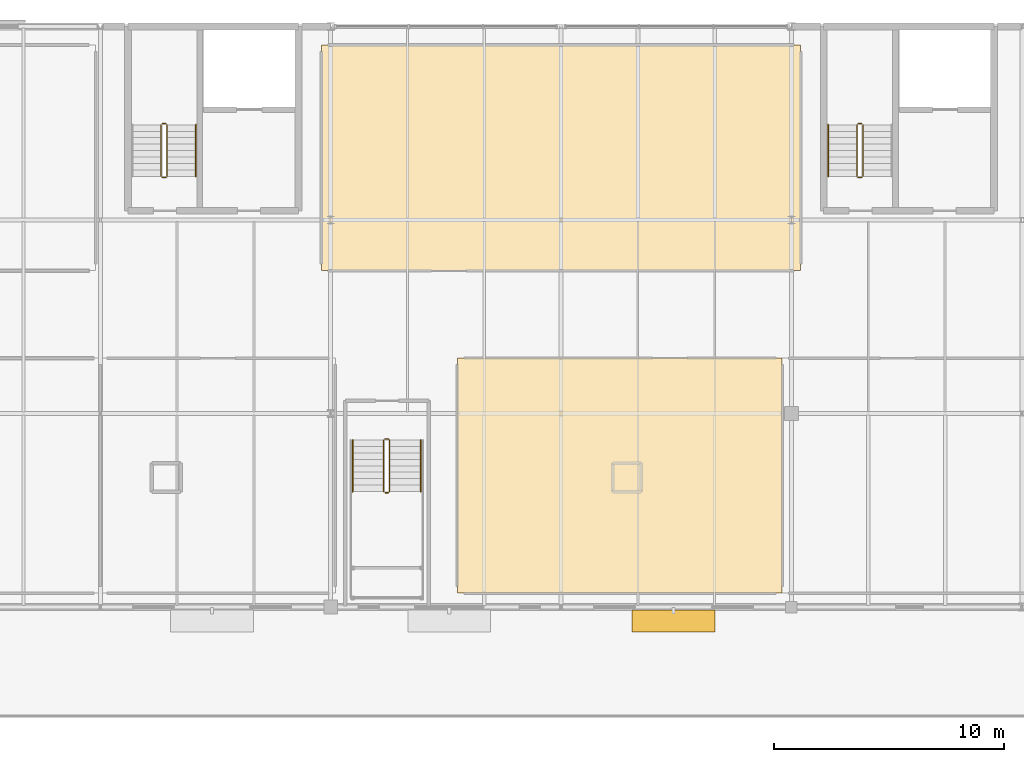
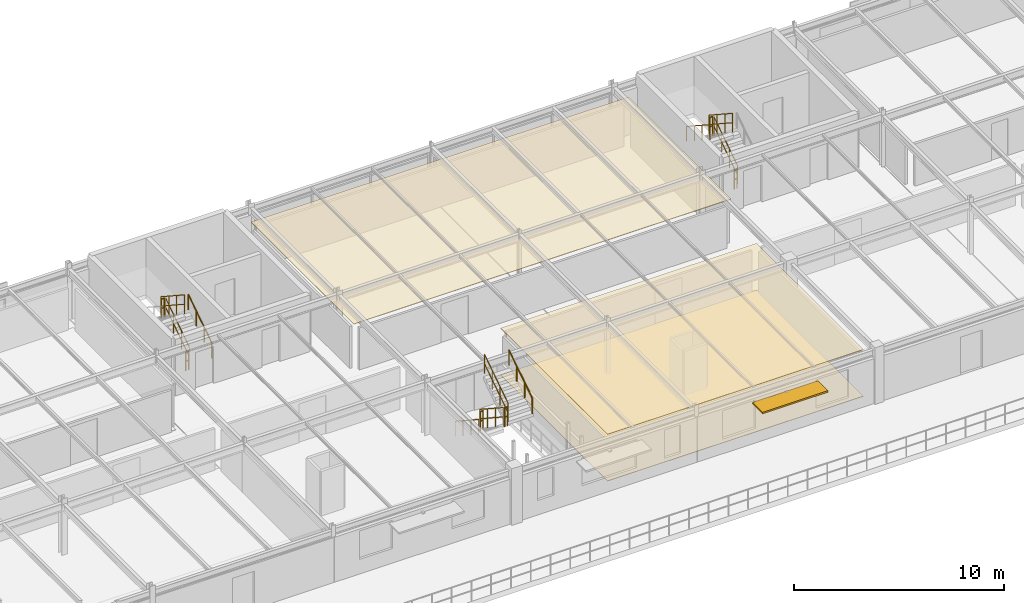
# One storey, part 22 of 23: 16 railings, 3 coverings, 1 shading device.
"""IFC4 building model written with IfcOpenShell, lengths in metres."""

from ifc_helpers import new_model, si_unit, derived_unit, direction, frame, origin, origin_2d_with_axis, place, context, subcontext, project, spatial, polyline, rectangle, circle, outline, extrude, material, layer, layer_set, type_object, element, save


model = new_model("IFC4")

# Units and contexts
model_context = context("Model", 3, precision=1e-05, world=origin(), true_north=direction((0.0, 1.0)))
body_context = subcontext(model_context, "Body", "Model", "MODEL_VIEW")
ifc_project = project(units=[si_unit("LENGTHUNIT", "METRE"), si_unit("AREAUNIT", "SQUARE_METRE"), si_unit("VOLUMEUNIT", "CUBIC_METRE"), si_unit("PLANEANGLEUNIT", "RADIAN"), si_unit("MASSUNIT", "GRAM", prefix="KILO"), derived_unit("THERMALTRANSMITTANCEUNIT", [(si_unit("POWERUNIT", "WATT"), 1), (si_unit("LENGTHUNIT", "METRE"), -2), (si_unit("THERMODYNAMICTEMPERATUREUNIT", "KELVIN"), -1)])], contexts=[model_context])

# Site, building, storey
site_placement = place(None, origin())
site = spatial("IfcSite", under=ifc_project, at=site_placement, CompositionType="ELEMENT")
building_placement = place(site_placement, origin())
building = spatial("IfcBuilding", under=site, at=building_placement, Name="Cinnabar Yard Market Hall", CompositionType="ELEMENT")
storey_placement = place(building_placement, frame((0.0, 0.0, 12.0)))
storey = spatial("IfcBuildingStorey", under=building, at=storey_placement, Name="L03", CompositionType="ELEMENT", Elevation=12.0)

# Coverings
ifc_material_1 = material(Name="Perforated acoustic spotted-gum timber slats", Category="wood")
ifc_layer_1 = layer(ifc_material_1, 0.0400390625)
ifc_layer_set_1 = layer_set([ifc_layer_1], Name="Perforated acoustic spotted-gum timber slats")
covering_type_1 = type_object("IfcCoveringType", Name="COV-CLG1", PredefinedType="CEILING", material=ifc_layer_set_1)
covering_1_placement = place(storey_placement, frame((0.0, 0.0, 2.7099609375)))
element("IfcCovering", 1, at=covering_1_placement, inside=storey, type_object=covering_type_1, Name="Ceiling Community Banquet and Nutrition Hall", PredefinedType="CEILING", context=body_context, shape_type="SweptSolid", body=[
    extrude(outline(polyline([(111.5, 113.39990234375), (125.60009765625, 113.39990234375), (125.60009765625, 123.60009765625), (111.5, 123.60009765625), (111.5, 113.39990234375)])), origin(), (0.0, 0.0, 1.0), 0.03515625),
])
covering_2_placement = place(storey_placement, frame((0.0, 0.0, 2.7099609375)))
element("IfcCovering", 2, at=covering_2_placement, inside=storey, type_object=covering_type_1, Name="Ceiling Community Nutrition Classroom 303", PredefinedType="CEILING", context=body_context, shape_type="SweptSolid", body=[
    extrude(outline(polyline([(105.60009765625, 127.39990234375), (126.39990234375, 127.39990234375), (126.39990234375, 137.199951171875), (105.60009765625, 137.199951171875), (105.60009765625, 127.39990234375)])), origin(), (0.0, 0.0, 1.0), 0.03515625),
])
ifc_material_2 = material(Name="Honed Adelaide red terrazzo flooring")
ifc_layer_2 = layer(ifc_material_2, 0.030029296875)
ifc_layer_set_2 = layer_set([ifc_layer_2], Name="Honed Adelaide red terrazzo flooring")
covering_type_2 = type_object("IfcCoveringType", Name="COV-FLR1", PredefinedType="FLOORING", material=ifc_layer_set_2)
covering_3_placement = place(storey_placement, origin())
element("IfcCovering", 3, at=covering_3_placement, inside=storey, type_object=covering_type_2, Name="Flooring Community Banquet and Nutrition Hall", PredefinedType="FLOORING", context=body_context, shape_type="SweptSolid", body=[
    extrude(outline(polyline([(111.5, 113.39990234375), (125.60009765625, 113.39990234375), (125.60009765625, 123.60009765625), (111.5, 123.60009765625), (111.5, 113.39990234375)])), origin(), (0.0, 0.0, 1.0), 0.02490234375),
])

# Railings
ifc_material_3 = material(Name="Laminated glass and bronze handrail", Category="glass")
ifc_layer_3 = layer(ifc_material_3, 0.070068359375)
ifc_layer_set_3 = layer_set([ifc_layer_3], Name="Laminated glass and bronze handrail")
railing_type_1 = type_object("IfcRailingType", Name="RL-G01", PredefinedType="BALUSTRADE", material=ifc_layer_set_3)
railing_1_placement = place(storey_placement, frame((108.300048828125, 120.050048828125, 0.183349609375)))
element("IfcRailing", 4, at=railing_1_placement, inside=storey, type_object=railing_type_1, Name="L03 ST-F4 stair guard 1", PredefinedType="BALUSTRADE", context=body_context, shape_type="SweptSolid", body=[
    extrude(circle(Radius=0.02392578125, at=origin_2d_with_axis()), frame((0.0, 0.0, 1.09619140625), z_axis=(0.0, -0.836636935527, 0.547757827979), x_axis=(1.0, 0.0, 0.0)), (0.0, 0.0, 1.0), 2.677490234375),
    extrude(circle(Radius=0.02392578125, at=origin_2d_with_axis()), frame((0.0, 0.0, 0.550048828125), z_axis=(0.0, -0.836636935527, 0.547757827979), x_axis=(1.0, 0.0, 0.0)), (0.0, 0.0, 1.0), 2.677490234375),
    extrude(circle(Radius=0.02099609375, at=origin_2d_with_axis()), origin(), (0.0, 0.0, 1.0), 1.072021484375),
    extrude(circle(Radius=0.02099609375, at=origin_2d_with_axis()), frame((0.0, -0.74658203125, 0.48876953125)), (0.0, 0.0, 1.0), 1.072021484375),
    extrude(circle(Radius=0.02099609375, at=origin_2d_with_axis()), frame((0.0, -1.493408203125, 0.977783203125)), (0.0, 0.0, 1.0), 1.072021484375),
    extrude(circle(Radius=0.02099609375, at=origin_2d_with_axis()), frame((0.0, -2.239990234375, 1.466552734375)), (0.0, 0.0, 1.0), 1.072021484375),
])
railing_2_placement = place(storey_placement, frame((108.35009765625, 117.760009765625, 1.64990234375)))
element("IfcRailing", 5, at=railing_2_placement, inside=storey, type_object=railing_type_1, Name="L03 ST-F4 stair guard 2", PredefinedType="BALUSTRADE", context=body_context, shape_type="SweptSolid", body=[
    extrude(circle(Radius=0.02392578125, at=origin_2d_with_axis()), frame((0.0, 0.0, 1.09619140625), z_axis=(1.0, 0.0, 0.0), x_axis=(0.0, 1.0, 0.0)), (0.0, 0.0, 1.0), 0.159912109375),
    extrude(circle(Radius=0.02392578125, at=origin_2d_with_axis()), frame((0.0, 0.0, 0.550048828125), z_axis=(1.0, 0.0, 0.0), x_axis=(0.0, 1.0, 0.0)), (0.0, 0.0, 1.0), 0.159912109375),
    extrude(circle(Radius=0.02099609375, at=origin_2d_with_axis()), origin(), (0.0, 0.0, 1.0), 1.072021484375),
    extrude(circle(Radius=0.02099609375, at=origin_2d_with_axis()), frame((0.159912109375, 0.0, 0.0)), (0.0, 0.0, 1.0), 1.072021484375),
])
railing_3_placement = place(storey_placement, frame((108.56005859375, 117.81005859375, 1.833251953125)))
element("IfcRailing", 6, at=railing_3_placement, inside=storey, type_object=railing_type_1, Name="L03 ST-F4 stair guard 3", PredefinedType="BALUSTRADE", context=body_context, shape_type="SweptSolid", body=[
    extrude(circle(Radius=0.02392578125, at=origin_2d_with_axis()), frame((0.0, 0.0, 1.09619140625), z_axis=(0.0, 0.836595146698, 0.547821650285), x_axis=(-1.0, 0.0, 0.0)), (0.0, 0.0, 1.0), 2.677490234375),
    extrude(circle(Radius=0.02392578125, at=origin_2d_with_axis()), frame((0.0, 0.0, 0.550048828125), z_axis=(0.0, 0.836595146698, 0.547821650285), x_axis=(-1.0, 0.0, 0.0)), (0.0, 0.0, 1.0), 2.677490234375),
    extrude(circle(Radius=0.02099609375, at=origin_2d_with_axis()), origin(), (0.0, 0.0, 1.0), 1.072021484375),
    extrude(circle(Radius=0.02099609375, at=origin_2d_with_axis()), frame((0.0, 0.74658203125, 0.489013671875)), (0.0, 0.0, 1.0), 1.072021484375),
    extrude(circle(Radius=0.02099609375, at=origin_2d_with_axis()), frame((0.0, 1.493408203125, 0.977783203125)), (0.0, 0.0, 1.0), 1.072021484375),
    extrude(circle(Radius=0.02099609375, at=origin_2d_with_axis()), frame((0.0, 2.239990234375, 1.466796875)), (0.0, 0.0, 1.0), 1.072021484375),
])
railing_4_placement = place(storey_placement, frame((108.35009765625, 120.10009765625, 0.0)))
element("IfcRailing", 7, at=railing_4_placement, inside=storey, type_object=railing_type_1, Name="L03 ST-F4 stair guard 4", PredefinedType="BALUSTRADE", context=body_context, shape_type="SweptSolid", body=[
    extrude(circle(Radius=0.02392578125, at=origin_2d_with_axis()), frame((0.0, 0.0, 1.09619140625), z_axis=(1.0, 0.0, 0.0), x_axis=(0.0, 1.0, 0.0)), (0.0, 0.0, 1.0), 0.159912109375),
    extrude(circle(Radius=0.02392578125, at=origin_2d_with_axis()), frame((0.0, 0.0, 0.550048828125), z_axis=(1.0, 0.0, 0.0), x_axis=(0.0, 1.0, 0.0)), (0.0, 0.0, 1.0), 0.159912109375),
    extrude(circle(Radius=0.02099609375, at=origin_2d_with_axis()), origin(), (0.0, 0.0, 1.0), 1.072021484375),
    extrude(circle(Radius=0.02099609375, at=origin_2d_with_axis()), frame((0.159912109375, 0.0, 0.0)), (0.0, 0.0, 1.0), 1.072021484375),
])
ifc_material_4 = material(Name="Galvanised steel Grade 300 (300 MPa) guardrail", Category="steel")
ifc_layer_4 = layer(ifc_material_4, 0.06005859375)
ifc_layer_set_4 = layer_set([ifc_layer_4], Name="Galvanised steel Grade 300 (300 MPa) guardrail")
railing_type_2 = type_object("IfcRailingType", Name="RL-G03", PredefinedType="GUARDRAIL", material=ifc_layer_set_4)
railing_5_placement = place(storey_placement, frame((98.89990234375, 131.489990234375, 0.183349609375)))
element("IfcRailing", 8, at=railing_5_placement, inside=storey, type_object=railing_type_2, Name="L03 ST-C5 stair guard 1", PredefinedType="GUARDRAIL", context=body_context, shape_type="SweptSolid", body=[
    extrude(circle(Radius=0.02392578125, at=origin_2d_with_axis()), frame((0.0, 0.0, 1.09619140625), z_axis=(0.0, 0.836636935527, 0.547757827979), x_axis=(-1.0, 0.0, 0.0)), (0.0, 0.0, 1.0), 2.677490234375),
    extrude(circle(Radius=0.02392578125, at=origin_2d_with_axis()), frame((0.0, 0.0, 0.550048828125), z_axis=(0.0, 0.836636935527, 0.547757827979), x_axis=(-1.0, 0.0, 0.0)), (0.0, 0.0, 1.0), 2.677490234375),
    extrude(circle(Radius=0.02099609375, at=origin_2d_with_axis()), origin(), (0.0, 0.0, 1.0), 1.072021484375),
    extrude(circle(Radius=0.02099609375, at=origin_2d_with_axis()), frame((0.0, 0.74658203125, 0.48876953125)), (0.0, 0.0, 1.0), 1.072021484375),
    extrude(circle(Radius=0.02099609375, at=origin_2d_with_axis()), frame((0.0, 1.493408203125, 0.977783203125)), (0.0, 0.0, 1.0), 1.072021484375),
    extrude(circle(Radius=0.02099609375, at=origin_2d_with_axis()), frame((0.0, 2.239990234375, 1.466552734375)), (0.0, 0.0, 1.0), 1.072021484375),
])
railing_6_placement = place(storey_placement, frame((98.85009765625, 133.780029296875, 1.64990234375)))
element("IfcRailing", 9, at=railing_6_placement, inside=storey, type_object=railing_type_2, Name="L03 ST-C5 stair guard 2", PredefinedType="GUARDRAIL", context=body_context, shape_type="SweptSolid", body=[
    extrude(circle(Radius=0.02392578125, at=origin_2d_with_axis()), frame((0.0, 0.0, 1.09619140625), z_axis=(-1.0, 0.0, 0.0), x_axis=(0.0, -1.0, 0.0)), (0.0, 0.0, 1.0), 0.16015625),
    extrude(circle(Radius=0.02392578125, at=origin_2d_with_axis()), frame((0.0, 0.0, 0.550048828125), z_axis=(-1.0, 0.0, 0.0), x_axis=(0.0, -1.0, 0.0)), (0.0, 0.0, 1.0), 0.16015625),
    extrude(circle(Radius=0.02099609375, at=origin_2d_with_axis()), origin(), (0.0, 0.0, 1.0), 1.072021484375),
    extrude(circle(Radius=0.02099609375, at=origin_2d_with_axis()), frame((-0.16015625, 0.0, 0.0)), (0.0, 0.0, 1.0), 1.072021484375),
])
railing_7_placement = place(storey_placement, frame((98.639892578125, 133.72998046875, 1.833251953125)))
element("IfcRailing", 10, at=railing_7_placement, inside=storey, type_object=railing_type_2, Name="L03 ST-C5 stair guard 3", PredefinedType="GUARDRAIL", context=body_context, shape_type="SweptSolid", body=[
    extrude(circle(Radius=0.02392578125, at=origin_2d_with_axis()), frame((0.0, 0.0, 1.09619140625), z_axis=(0.0, -0.836595146698, 0.547821650285), x_axis=(1.0, 0.0, 0.0)), (0.0, 0.0, 1.0), 2.677490234375),
    extrude(circle(Radius=0.02392578125, at=origin_2d_with_axis()), frame((0.0, 0.0, 0.550048828125), z_axis=(0.0, -0.836595146698, 0.547821650285), x_axis=(1.0, 0.0, 0.0)), (0.0, 0.0, 1.0), 2.677490234375),
    extrude(circle(Radius=0.02099609375, at=origin_2d_with_axis()), origin(), (0.0, 0.0, 1.0), 1.072021484375),
    extrude(circle(Radius=0.02099609375, at=origin_2d_with_axis()), frame((0.0, -0.74658203125, 0.489013671875)), (0.0, 0.0, 1.0), 1.072021484375),
    extrude(circle(Radius=0.02099609375, at=origin_2d_with_axis()), frame((0.0, -1.493408203125, 0.977783203125)), (0.0, 0.0, 1.0), 1.072021484375),
    extrude(circle(Radius=0.02099609375, at=origin_2d_with_axis()), frame((0.0, -2.239990234375, 1.466796875)), (0.0, 0.0, 1.0), 1.072021484375),
])
railing_8_placement = place(storey_placement, frame((98.85009765625, 131.43994140625, 0.0)))
element("IfcRailing", 11, at=railing_8_placement, inside=storey, type_object=railing_type_2, Name="L03 ST-C5 stair guard 4", PredefinedType="GUARDRAIL", context=body_context, shape_type="SweptSolid", body=[
    extrude(circle(Radius=0.02392578125, at=origin_2d_with_axis()), frame((0.0, 0.0, 1.09619140625), z_axis=(-1.0, 0.0, 0.0), x_axis=(0.0, -1.0, 0.0)), (0.0, 0.0, 1.0), 0.16015625),
    extrude(circle(Radius=0.02392578125, at=origin_2d_with_axis()), frame((0.0, 0.0, 0.550048828125), z_axis=(-1.0, 0.0, 0.0), x_axis=(0.0, -1.0, 0.0)), (0.0, 0.0, 1.0), 0.16015625),
    extrude(circle(Radius=0.02099609375, at=origin_2d_with_axis()), origin(), (0.0, 0.0, 1.0), 1.072021484375),
    extrude(circle(Radius=0.02099609375, at=origin_2d_with_axis()), frame((-0.16015625, 0.0, 0.0)), (0.0, 0.0, 1.0), 1.072021484375),
])
railing_9_placement = place(storey_placement, frame((129.10009765625, 131.489990234375, 0.183349609375)))
element("IfcRailing", 12, at=railing_9_placement, inside=storey, type_object=railing_type_2, Name="L03 ST-C6 stair guard 1", PredefinedType="GUARDRAIL", context=body_context, shape_type="SweptSolid", body=[
    extrude(circle(Radius=0.02392578125, at=origin_2d_with_axis()), frame((0.0, 0.0, 1.09619140625), z_axis=(0.0, 0.836636935527, 0.547757827979), x_axis=(-1.0, 0.0, 0.0)), (0.0, 0.0, 1.0), 2.677490234375),
    extrude(circle(Radius=0.02392578125, at=origin_2d_with_axis()), frame((0.0, 0.0, 0.550048828125), z_axis=(0.0, 0.836636935527, 0.547757827979), x_axis=(-1.0, 0.0, 0.0)), (0.0, 0.0, 1.0), 2.677490234375),
    extrude(circle(Radius=0.02099609375, at=origin_2d_with_axis()), origin(), (0.0, 0.0, 1.0), 1.072021484375),
    extrude(circle(Radius=0.02099609375, at=origin_2d_with_axis()), frame((0.0, 0.74658203125, 0.48876953125)), (0.0, 0.0, 1.0), 1.072021484375),
    extrude(circle(Radius=0.02099609375, at=origin_2d_with_axis()), frame((0.0, 1.493408203125, 0.977783203125)), (0.0, 0.0, 1.0), 1.072021484375),
    extrude(circle(Radius=0.02099609375, at=origin_2d_with_axis()), frame((0.0, 2.239990234375, 1.466552734375)), (0.0, 0.0, 1.0), 1.072021484375),
])
railing_10_placement = place(storey_placement, frame((129.050048828125, 133.780029296875, 1.64990234375)))
element("IfcRailing", 13, at=railing_10_placement, inside=storey, type_object=railing_type_2, Name="L03 ST-C6 stair guard 2", PredefinedType="GUARDRAIL", context=body_context, shape_type="SweptSolid", body=[
    extrude(circle(Radius=0.02392578125, at=origin_2d_with_axis()), frame((0.0, 0.0, 1.09619140625), z_axis=(-1.0, 0.0, 0.0), x_axis=(0.0, -1.0, 0.0)), (0.0, 0.0, 1.0), 0.16015625),
    extrude(circle(Radius=0.02392578125, at=origin_2d_with_axis()), frame((0.0, 0.0, 0.550048828125), z_axis=(-1.0, 0.0, 0.0), x_axis=(0.0, -1.0, 0.0)), (0.0, 0.0, 1.0), 0.16015625),
    extrude(circle(Radius=0.02099609375, at=origin_2d_with_axis()), origin(), (0.0, 0.0, 1.0), 1.072021484375),
    extrude(circle(Radius=0.02099609375, at=origin_2d_with_axis()), frame((-0.16015625, 0.0, 0.0)), (0.0, 0.0, 1.0), 1.072021484375),
])
railing_11_placement = place(storey_placement, frame((128.840087890625, 133.72998046875, 1.833251953125)))
element("IfcRailing", 14, at=railing_11_placement, inside=storey, type_object=railing_type_2, Name="L03 ST-C6 stair guard 3", PredefinedType="GUARDRAIL", context=body_context, shape_type="SweptSolid", body=[
    extrude(circle(Radius=0.02392578125, at=origin_2d_with_axis()), frame((0.0, 0.0, 1.09619140625), z_axis=(0.0, -0.836595146698, 0.547821650285), x_axis=(1.0, 0.0, 0.0)), (0.0, 0.0, 1.0), 2.677490234375),
    extrude(circle(Radius=0.02392578125, at=origin_2d_with_axis()), frame((0.0, 0.0, 0.550048828125), z_axis=(0.0, -0.836595146698, 0.547821650285), x_axis=(1.0, 0.0, 0.0)), (0.0, 0.0, 1.0), 2.677490234375),
    extrude(circle(Radius=0.02099609375, at=origin_2d_with_axis()), origin(), (0.0, 0.0, 1.0), 1.072021484375),
    extrude(circle(Radius=0.02099609375, at=origin_2d_with_axis()), frame((0.0, -0.74658203125, 0.489013671875)), (0.0, 0.0, 1.0), 1.072021484375),
    extrude(circle(Radius=0.02099609375, at=origin_2d_with_axis()), frame((0.0, -1.493408203125, 0.977783203125)), (0.0, 0.0, 1.0), 1.072021484375),
    extrude(circle(Radius=0.02099609375, at=origin_2d_with_axis()), frame((0.0, -2.239990234375, 1.466796875)), (0.0, 0.0, 1.0), 1.072021484375),
])
railing_12_placement = place(storey_placement, frame((129.050048828125, 131.43994140625, 0.0)))
element("IfcRailing", 15, at=railing_12_placement, inside=storey, type_object=railing_type_2, Name="L03 ST-C6 stair guard 4", PredefinedType="GUARDRAIL", context=body_context, shape_type="SweptSolid", body=[
    extrude(circle(Radius=0.02392578125, at=origin_2d_with_axis()), frame((0.0, 0.0, 1.09619140625), z_axis=(-1.0, 0.0, 0.0), x_axis=(0.0, -1.0, 0.0)), (0.0, 0.0, 1.0), 0.16015625),
    extrude(circle(Radius=0.02392578125, at=origin_2d_with_axis()), frame((0.0, 0.0, 0.550048828125), z_axis=(-1.0, 0.0, 0.0), x_axis=(0.0, -1.0, 0.0)), (0.0, 0.0, 1.0), 0.16015625),
    extrude(circle(Radius=0.02099609375, at=origin_2d_with_axis()), origin(), (0.0, 0.0, 1.0), 1.072021484375),
    extrude(circle(Radius=0.02099609375, at=origin_2d_with_axis()), frame((-0.16015625, 0.0, 0.0)), (0.0, 0.0, 1.0), 1.072021484375),
])
ifc_material_5 = material(Name="Brushed stainless steel handrail", Category="steel")
ifc_layer_5 = layer(ifc_material_5, 0.050048828125)
ifc_layer_set_5 = layer_set([ifc_layer_5], Name="Brushed stainless steel handrail")
railing_type_3 = type_object("IfcRailingType", Name="RL-HR1", PredefinedType="HANDRAIL", material=ifc_layer_set_5)
railing_13_placement = place(storey_placement, frame((100.14990234375, 131.489990234375, 0.183349609375)))
element("IfcRailing", 16, at=railing_13_placement, inside=storey, type_object=railing_type_3, Name="L03 ST-C5 stair handrail 1", PredefinedType="HANDRAIL", context=body_context, shape_type="SweptSolid", body=[
    extrude(circle(Radius=0.02392578125, at=origin_2d_with_axis()), frame((0.0, 0.0, 0.8759765625), z_axis=(0.0, 0.836636935527, 0.547757827979), x_axis=(-1.0, 0.0, 0.0)), (0.0, 0.0, 1.0), 2.677490234375),
    extrude(circle(Radius=0.02099609375, at=origin_2d_with_axis()), origin(), (0.0, 0.0, 1.0), 0.851806640625),
    extrude(circle(Radius=0.02099609375, at=origin_2d_with_axis()), frame((0.0, 0.74658203125, 0.48876953125)), (0.0, 0.0, 1.0), 0.851806640625),
    extrude(circle(Radius=0.02099609375, at=origin_2d_with_axis()), frame((0.0, 1.493408203125, 0.977783203125)), (0.0, 0.0, 1.0), 0.851806640625),
    extrude(circle(Radius=0.02099609375, at=origin_2d_with_axis()), frame((0.0, 2.239990234375, 1.466552734375)), (0.0, 0.0, 1.0), 0.851806640625),
])
railing_14_placement = place(storey_placement, frame((127.590087890625, 133.72998046875, 1.833251953125)))
element("IfcRailing", 17, at=railing_14_placement, inside=storey, type_object=railing_type_3, Name="L03 ST-C6 stair handrail 2", PredefinedType="HANDRAIL", context=body_context, shape_type="SweptSolid", body=[
    extrude(circle(Radius=0.02392578125, at=origin_2d_with_axis()), frame((0.0, 0.0, 0.8759765625), z_axis=(0.0, -0.836595146698, 0.547821650285), x_axis=(1.0, 0.0, 0.0)), (0.0, 0.0, 1.0), 2.677490234375),
    extrude(circle(Radius=0.02099609375, at=origin_2d_with_axis()), origin(), (0.0, 0.0, 1.0), 0.851806640625),
    extrude(circle(Radius=0.02099609375, at=origin_2d_with_axis()), frame((0.0, -0.74658203125, 0.489013671875)), (0.0, 0.0, 1.0), 0.851806640625),
    extrude(circle(Radius=0.02099609375, at=origin_2d_with_axis()), frame((0.0, -1.493408203125, 0.977783203125)), (0.0, 0.0, 1.0), 0.851806640625),
    extrude(circle(Radius=0.02099609375, at=origin_2d_with_axis()), frame((0.0, -2.239990234375, 1.466796875)), (0.0, 0.0, 1.0), 0.851806640625),
])
railing_15_placement = place(storey_placement, frame((106.949951171875, 120.050048828125, 0.183349609375)))
element("IfcRailing", 18, at=railing_15_placement, inside=storey, type_object=railing_type_3, Name="L03 ST-F4 stair handrail 1", PredefinedType="HANDRAIL", context=body_context, shape_type="SweptSolid", body=[
    extrude(circle(Radius=0.02392578125, at=origin_2d_with_axis()), frame((0.0, 0.0, 0.8759765625), z_axis=(0.0, -0.836636935527, 0.547757827979), x_axis=(1.0, 0.0, 0.0)), (0.0, 0.0, 1.0), 2.677490234375),
    extrude(circle(Radius=0.02099609375, at=origin_2d_with_axis()), origin(), (0.0, 0.0, 1.0), 0.851806640625),
    extrude(circle(Radius=0.02099609375, at=origin_2d_with_axis()), frame((0.0, -0.74658203125, 0.48876953125)), (0.0, 0.0, 1.0), 0.851806640625),
    extrude(circle(Radius=0.02099609375, at=origin_2d_with_axis()), frame((0.0, -1.493408203125, 0.977783203125)), (0.0, 0.0, 1.0), 0.851806640625),
    extrude(circle(Radius=0.02099609375, at=origin_2d_with_axis()), frame((0.0, -2.239990234375, 1.466552734375)), (0.0, 0.0, 1.0), 0.851806640625),
])
railing_16_placement = place(storey_placement, frame((109.909912109375, 117.81005859375, 1.833251953125)))
element("IfcRailing", 19, at=railing_16_placement, inside=storey, type_object=railing_type_3, Name="L03 ST-F4 stair handrail 2", PredefinedType="HANDRAIL", context=body_context, shape_type="SweptSolid", body=[
    extrude(circle(Radius=0.02392578125, at=origin_2d_with_axis()), frame((0.0, 0.0, 0.8759765625), z_axis=(0.0, 0.836595146698, 0.547821650285), x_axis=(-1.0, 0.0, 0.0)), (0.0, 0.0, 1.0), 2.677490234375),
    extrude(circle(Radius=0.02099609375, at=origin_2d_with_axis()), origin(), (0.0, 0.0, 1.0), 0.851806640625),
    extrude(circle(Radius=0.02099609375, at=origin_2d_with_axis()), frame((0.0, 0.74658203125, 0.489013671875)), (0.0, 0.0, 1.0), 0.851806640625),
    extrude(circle(Radius=0.02099609375, at=origin_2d_with_axis()), frame((0.0, 1.493408203125, 0.977783203125)), (0.0, 0.0, 1.0), 0.851806640625),
    extrude(circle(Radius=0.02099609375, at=origin_2d_with_axis()), frame((0.0, 2.239990234375, 1.466796875)), (0.0, 0.0, 1.0), 0.851806640625),
])

# Shading device
ifc_material_6 = material(Name="Projecting sandstone-clad steel chhajja hood", Category="masonry")
shading_device_type = type_object("IfcShadingDeviceType", Name="SHD-CHJ1", PredefinedType="SHUTTER", material=ifc_material_6)
shading_device_placement = place(storey_placement, frame((120.8779296875, 112.199951171875, 2.294921875), z_axis=(0.0, 0.0, 1.0), x_axis=(1.0, 0.0, 0.0)))
element("IfcShadingDevice", 20, at=shading_device_placement, inside=storey, type_object=shading_device_type, Name="Wing South Chhajja Hood L03 Bay 5", PredefinedType="SHUTTER", context=body_context, shape_type="SweptSolid", body=[
    extrude(rectangle(XDim=3.60009765625, YDim=0.949951171875, at=origin_2d_with_axis()), origin(), (0.0, 0.0, 1.0), 0.090087890625),
])

save(model, "model.ifc")
